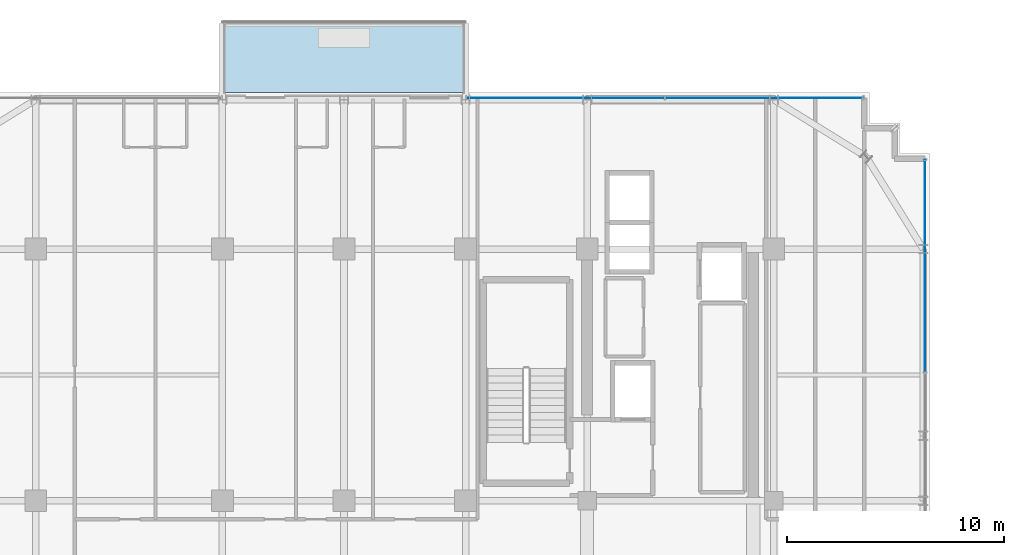
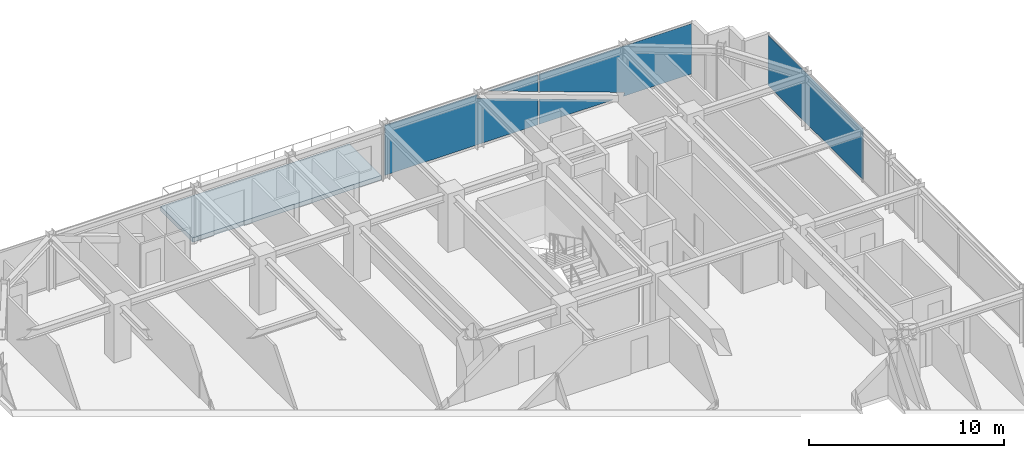
# One storey, part 34 of 43: 3 plates, 1 slab, 2 elements without a shape of their own.
"""IFC4 building model written with IfcOpenShell, lengths in metres."""

from ifc_helpers import new_model, si_unit, direction, frame, origin, origin_2d, place, context, subcontext, project, spatial, polyline, rectangle, outline, extrude, source, transform, mapped, material, layer, layer_set, type_object, element, aggregate, save


model = new_model("IFC4")

# Units and contexts
model_context = context("Model", 3, precision=1e-05, world=origin(), true_north=direction((0.0, 1.0)))
body_context = subcontext(model_context, "Body", "Model", "MODEL_VIEW")
ifc_project = project(units=[si_unit("LENGTHUNIT", "METRE"), si_unit("AREAUNIT", "SQUARE_METRE"), si_unit("VOLUMEUNIT", "CUBIC_METRE"), si_unit("PLANEANGLEUNIT", "RADIAN"), si_unit("MASSUNIT", "GRAM", prefix="KILO")], contexts=[model_context])

# Site, building, storey
site_placement = place(None, origin())
site = spatial("IfcSite", under=ifc_project, at=site_placement, CompositionType="ELEMENT")
building_placement = place(site_placement, origin())
building = spatial("IfcBuilding", under=site, at=building_placement, Name="Nahalor Promenade Grand Hotel", CompositionType="ELEMENT")
storey_placement = place(building_placement, frame((0.0, 0.0, 204.89990234375)))
storey = spatial("IfcBuildingStorey", under=building, at=storey_placement, Name="L52", CompositionType="ELEMENT", Elevation=204.89990234375)

# Curtain wall, plates
ifc_material_1 = material(Name="Anodised Bronze Aluminium EN AW-6063 T6", Category="aluminium")
curtain_wall_type = type_object("IfcCurtainWallType", Name="CW2 Typical Hotel Flush Bronze Unitised Curtain Wall", PredefinedType="USERDEFINED", material=ifc_material_1)
curtain_wall_1_placement = place(storey_placement, origin())
curtain_wall_1 = element("IfcCurtainWall", 1, at=curtain_wall_1_placement, inside=storey, type_object=curtain_wall_type, Name="L52 Curtain Wall CW-L52-N-3", ObjectType="UNITISED_CURTAIN_WALL", PredefinedType="USERDEFINED")
ifc_material_2 = material(Name="Low-E Laminated Solar Glass", Category="glass")
ifc_layer_1 = layer(ifc_material_2, 0.028076171875)
ifc_layer_set_1 = layer_set([ifc_layer_1], Name="Low-E Laminated Solar Glass")
plate_type = type_object("IfcPlateType", Name="CWP2 Bronze Low-E Vision IGU 28mm", PredefinedType="CURTAIN_PANEL", material=ifc_layer_set_1)
plate_1_placement = place(storey_placement, frame((7.40625, 23.9599609375, 0.130126953125), z_axis=(0.0, 0.0, 1.0), x_axis=(1.0, 0.0, 0.0)))
plate_1 = element("IfcPlate", 2, at=plate_1_placement, type_object=plate_type, Name="CW-L52-N-3 Glazing Panel 0-0", PredefinedType="CURTAIN_PANEL", context=body_context, shape_type="SweptSolid", body=[
    extrude(outline(polyline([(-4.541259765625, 0.0), (4.541259765625, 0.0), (4.541259765625, 1.60791015625), (0.893798828125, 2.927001953125), (0.974365234375, 3.14990234375), (-4.541259765625, 3.14990234375), (-4.541259765625, 0.0)])), frame((0.0, 0.01416015625, 0.0), z_axis=(0.0, -1.0, 0.0), x_axis=(1.0, 0.0, 0.0)), (0.0, 0.0, 1.0), 0.028076171875),
    extrude(outline(polyline([(4.541259765625, 2.08642578125), (4.541259765625, 3.14990234375), (1.60009765625, 3.14990234375), (4.541259765625, 2.08642578125)])), frame((0.0, 0.01416015625, 0.0), z_axis=(0.0, -1.0, 0.0), x_axis=(1.0, 0.0, 0.0)), (0.0, 0.0, 1.0), 0.028076171875),
])
plate_2_placement = place(storey_placement, frame((16.5537109375, 23.9599609375, 0.130126953125), z_axis=(0.0, 0.0, 1.0), x_axis=(1.0, 0.0, 0.0)))
plate_2 = element("IfcPlate", 3, at=plate_2_placement, type_object=plate_type, Name="CW-L52-N-3 Glazing Panel 1-0", PredefinedType="CURTAIN_PANEL", context=body_context, shape_type="SweptSolid", body=[
    extrude(outline(polyline([(4.541259765625, 3.14990234375), (-4.541259765625, 3.14990234375), (-4.541259765625, 2.06298828125), (0.54638671875, 0.22314453125), (0.465576171875, 0.0), (4.541259765625, 0.0), (4.541259765625, 3.14990234375)])), frame((0.0, 0.01416015625, 0.0), z_axis=(0.0, -1.0, 0.0), x_axis=(1.0, 0.0, 0.0)), (0.0, 0.0, 1.0), 0.028076171875),
    extrude(outline(polyline([(-4.541259765625, 1.58447265625), (-4.541259765625, 0.0), (-0.16015625, 0.0), (-4.541259765625, 1.58447265625)])), frame((0.0, 0.01416015625, 0.0), z_axis=(0.0, -1.0, 0.0), x_axis=(1.0, 0.0, 0.0)), (0.0, 0.0, 1.0), 0.028076171875),
])
aggregate(curtain_wall_1, [plate_1, plate_2])

# Slab
ifc_material_3 = material(Name="Concrete B-50 (C40/50)", Category="concrete")
ifc_layer_2 = layer(ifc_material_3, 0.280029296875)
ifc_layer_set_2 = layer_set([ifc_layer_2], Name="Concrete B-50 (C40/50)")
slab_type = type_object("IfcSlabType", Name="Slab-Balcony-280", PredefinedType="FLOOR", material=ifc_layer_set_2)
slab_placement = place(storey_placement, frame((0.0, 0.0, -0.27978515625)))
element("IfcSlab", 4, at=slab_placement, inside=storey, type_object=slab_type, Name="L52 Cantilevered Planted Balcony 1", PredefinedType="FLOOR", context=body_context, shape_type="SweptSolid", body=[
    extrude(outline(polyline([(-8.39990234375, 24.199951171875), (2.800048828125, 24.199951171875), (2.800048828125, 27.47998046875), (-8.39990234375, 27.47998046875), (-8.39990234375, 24.199951171875)])), origin(), (0.0, 0.0, 1.0), 0.27978515625),
])

# Curtain wall, plate
curtain_wall_2_placement = place(storey_placement, origin())
curtain_wall_2 = element("IfcCurtainWall", 5, at=curtain_wall_2_placement, inside=storey, type_object=curtain_wall_type, Name="L52 Curtain Wall CW-L52-E-3", ObjectType="UNITISED_CURTAIN_WALL", PredefinedType="USERDEFINED")
shared_shape = source(origin(), body_context, "Body", "SweptSolid", [
    extrude(rectangle(XDim=9.755859375, YDim=0.028076171875, at=origin_2d()), origin(), (0.0, 0.0, 1.0), 3.14990234375),
])
plate_3_placement = place(storey_placement, frame((23.9599609375, 16.217041015625, 0.130126953125), z_axis=(0.0, 0.0, 1.0), x_axis=(0.0, 1.0, 0.0)))
plate_3 = element("IfcPlate", 6, at=plate_3_placement, type_object=plate_type, Name="CW-L52-E-3 Glazing Panel 2-0", PredefinedType="CURTAIN_PANEL", context=body_context, shape_type="MappedRepresentation", body=[
    mapped(shared_shape, transform((0.0, 0.0, 0.0), scale=1.0)),
])
aggregate(curtain_wall_2, [plate_3])

save(model, "model.ifc")
